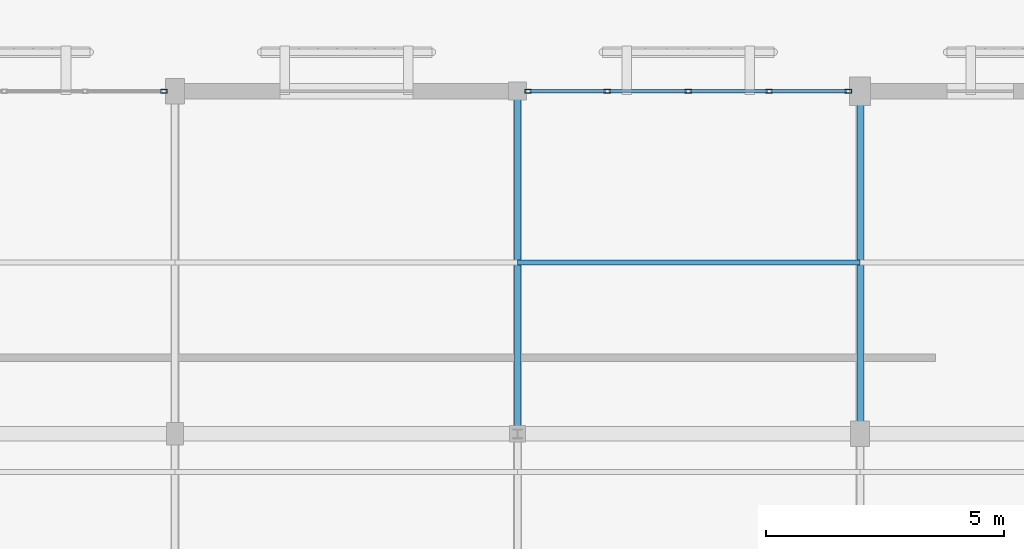
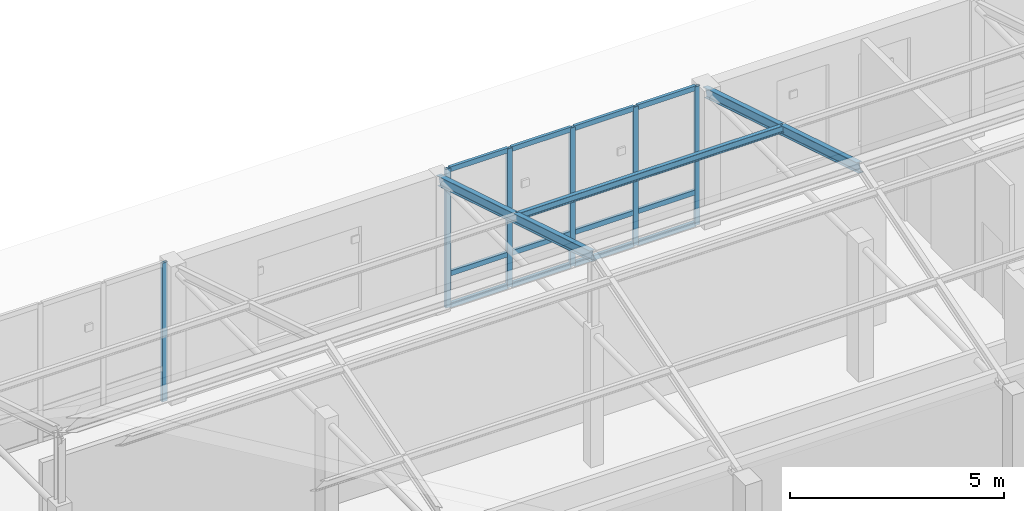
# One storey, part 37 of 61: 21 members, 2 elements without a shape of their own.
"""IFC4 building model written with IfcOpenShell, lengths in metres."""

import ifcopenshell
import ifcopenshell.guid

model = None  # the IFC model being written
_history = None  # IfcOwnerHistory: only IFC2X3 demands one
_inside = {}  # id of a spatial element -> (the spatial element, [elements in it])
_under = {}  # id of a project, library or spatial element -> (it, [spatial elements below it])
_declared = {}  # id of a project -> (the project, [libraries it declares])
_typed = {}  # id of a type object -> (the type object, [elements of that type])
_made_of = {}  # id of a material, layer set ... -> (it, [elements and type objects made of it])


def new_model(schema):
    """Start an empty IFC model of exactly this schema.

    Asked for "IFC4X3", IfcOpenShell would pick the latest addendum, in which some entities
    have other attributes; the version numbers below select the first issue.
    IFC2X3 requires an IfcOwnerHistory on every rooted entity: one is made here for all.
    """
    global model, _history
    if schema == "IFC4X3":
        model = ifcopenshell.file(schema_version=(4, 3, 0, 0))
    else:
        model = ifcopenshell.file(schema=schema)
    _inside.clear()
    _under.clear()
    _declared.clear()
    _typed.clear()
    _made_of.clear()
    _history = None
    if model.schema == "IFC2X3":
        org = make("IfcOrganization", Name="unknown")
        user = make(
            "IfcPersonAndOrganization",
            ThePerson=make("IfcPerson", FamilyName="unknown"),
            TheOrganization=org,
        )
        app = make(
            "IfcApplication",
            ApplicationDeveloper=org,
            Version="unknown",
            ApplicationFullName="unknown",
            ApplicationIdentifier="unknown",
        )
        _history = make(
            "IfcOwnerHistory",
            OwningUser=user,
            OwningApplication=app,
            ChangeAction="ADDED",
            CreationDate=0,
        )
    return model


def make(cls, **values):
    """One entity of the class cls with the attributes given. An attribute that is None is left unset."""
    return model.create_entity(
        cls, **{name: value for name, value in values.items() if value is not None}
    )


def rooted(cls, **values):
    """An entity with a GlobalId (a new one), such as an element, a storey or a relation."""
    return make(cls, GlobalId=ifcopenshell.guid.new(), OwnerHistory=_history, **values)


def si_unit(unit_type, name, prefix=None):
    """IfcSIUnit, for example si_unit("LENGTHUNIT", "METRE", prefix="MILLI")."""
    return make("IfcSIUnit", UnitType=unit_type, Prefix=prefix, Name=name)


def assignment(units):
    """IfcUnitAssignment: the units of a project."""
    return None if units is None else make("IfcUnitAssignment", Units=units)


def point(xyz):
    """IfcCartesianPoint."""
    return None if xyz is None else make("IfcCartesianPoint", Coordinates=xyz)


def direction(xyz):
    """IfcDirection."""
    return None if xyz is None else make("IfcDirection", DirectionRatios=xyz)


def frame(location, z_axis=None, x_axis=None):
    """IfcAxis2Placement3D, a coordinate frame: its origin and axes. An axis left out is left unset."""
    return make(
        "IfcAxis2Placement3D",
        Location=point(location),
        Axis=direction(z_axis),
        RefDirection=direction(x_axis),
    )


def frame_2d(location, x_axis=None):
    """IfcAxis2Placement2D, a coordinate frame in the plane: its origin and x axis."""
    return make(
        "IfcAxis2Placement2D", Location=point(location), RefDirection=direction(x_axis)
    )


def origin():
    """The frame at (0, 0, 0) with its axes left unset."""
    return frame((0.0, 0.0, 0.0))


def origin_2d():
    """The frame at (0, 0) in the plane with its x axis left unset."""
    return frame_2d((0.0, 0.0))


def place(relative_to, where):
    """IfcLocalPlacement: puts the frame where relative to a parent placement (None: the world)."""
    return make(
        "IfcLocalPlacement", PlacementRelTo=relative_to, RelativePlacement=where
    )


def context(
    kind, dimensions, precision=None, world=None, true_north=None, identifier=None
):
    """IfcGeometricRepresentationContext, for example the 3D "Model" context."""
    return make(
        "IfcGeometricRepresentationContext",
        ContextIdentifier=identifier,
        ContextType=kind,
        CoordinateSpaceDimension=dimensions,
        Precision=precision,
        WorldCoordinateSystem=world,
        TrueNorth=true_north,
    )


def subcontext(parent, identifier, kind, view, scale=None):
    """IfcGeometricRepresentationSubContext, for example "Body" below "Model"."""
    return make(
        "IfcGeometricRepresentationSubContext",
        ContextIdentifier=identifier,
        ContextType=kind,
        ParentContext=parent,
        TargetScale=scale,
        TargetView=view,
    )


def project(units=None, contexts=None):
    """IfcProject with its units and contexts."""
    return rooted(
        "IfcProject",
        Name="project",
        RepresentationContexts=contexts,
        UnitsInContext=assignment(units),
    )


def spatial(cls, under=None, at=None, **own):
    """A site, building, storey or space (cls), placed at a placement, below another one or the project."""
    s = rooted(cls, ObjectPlacement=at, **own)
    if under is not None:
        _under.setdefault(under.id(), (under, []))[1].append(s)
    return s


def profile(cls, at=None, kind="AREA", **sizes):
    """A parametric profile (cls). Its sizes go by their IFC names, for example OverallWidth=200.0."""
    return make(cls, ProfileType=kind, Position=at, **sizes)


def hollow_rectangle(**sizes):
    """IfcRectangleHollowProfileDef."""
    return profile("IfcRectangleHollowProfileDef", **sizes)


def i_section(**sizes):
    """IfcIShapeProfileDef."""
    return profile("IfcIShapeProfileDef", **sizes)


def extrude(swept, where, along, depth):
    """IfcExtrudedAreaSolid: the profile swept, set in the frame where, extruded along a direction by depth."""
    return make(
        "IfcExtrudedAreaSolid",
        SweptArea=swept,
        Position=where,
        ExtrudedDirection=direction(along),
        Depth=depth,
    )


def shape(context_of_items, identifier, shape_type, items):
    """IfcShapeRepresentation: the items that make up one representation, for example the "Body"."""
    return make(
        "IfcShapeRepresentation",
        ContextOfItems=context_of_items,
        RepresentationIdentifier=identifier,
        RepresentationType=shape_type,
        Items=items,
    )


def material(Name=None, Category=None):
    """IfcMaterial."""
    return make("IfcMaterial", Name=Name, Category=Category)


def layer(
    of_material, thickness, ventilated=None, Name=None, Category=None, Priority=None
):
    """IfcMaterialLayer: one layer of a wall or slab, of a material (None: an air gap)."""
    return make(
        "IfcMaterialLayer",
        Material=of_material,
        LayerThickness=thickness,
        IsVentilated=ventilated,
        Name=Name,
        Category=Category,
        Priority=Priority,
    )


def layer_set(layers, Name=None):
    """IfcMaterialLayerSet."""
    return make("IfcMaterialLayerSet", MaterialLayers=layers, LayerSetName=Name)


def material_profile(
    of_material, cross_section, Name=None, Category=None, Priority=None
):
    """IfcMaterialProfile: a cross section and its material."""
    return make(
        "IfcMaterialProfile",
        Name=Name,
        Material=of_material,
        Profile=cross_section,
        Priority=Priority,
        Category=Category,
    )


def profile_set(profiles, Name=None, composite=None):
    """IfcMaterialProfileSet."""
    return make(
        "IfcMaterialProfileSet",
        Name=Name,
        MaterialProfiles=profiles,
        CompositeProfile=composite,
    )


def made_of(thing, what):
    """Note that an element or type object is made of a material, layer set ...; save() writes the relation."""
    if what is not None:
        _made_of.setdefault(what.id(), (what, []))[1].append(thing)
    return thing


def type_object(cls, material=None, **own):
    """A type object (cls), such as IfcWallType, which elements share."""
    return made_of(rooted(cls, **own), material)


def element(
    cls,
    number,
    at=None,
    inside=None,
    cuts=None,
    type_object=None,
    material=None,
    context=None,
    identifier="Body",
    shape_type=None,
    held_by="IfcProductDefinitionShape",
    body=None,
    shapes=None,
    **own,
):
    """One element of the class cls, such as IfcWall. Its Tag is "e" and its number.

    at: its placement. inside: the storey or other place that contains it. cuts: it is an
    opening in that element (IfcRelVoidsElement). A single representation is given by context,
    identifier, shape_type and body (its items); several are given by shapes. held_by: the class
    of the entity that holds the representations. save() writes the other relations.
    """
    e = rooted(cls, Tag="e%d" % number, ObjectPlacement=at, **own)
    if body is not None:
        shapes = [shape(context, identifier, shape_type, body)]
    if shapes is not None:
        e.Representation = make(held_by, Representations=shapes)
    if inside is not None:
        _inside.setdefault(inside.id(), (inside, []))[1].append(e)
    if cuts is not None:
        rooted(
            "IfcRelVoidsElement", RelatingBuildingElement=cuts, RelatedOpeningElement=e
        )
    if type_object is not None:
        _typed.setdefault(type_object.id(), (type_object, []))[1].append(e)
    return made_of(e, material)


def aggregate(whole, parts):
    """IfcRelAggregates: a whole, such as a stair, and the parts it consists of."""
    return rooted("IfcRelAggregates", RelatingObject=whole, RelatedObjects=parts)


def save(model, path):
    """Write the relations noted so far, then the file.

    IfcRelAggregates (storeys below a building ...), IfcRelContainedInSpatialStructure (elements
    in a storey), IfcRelDefinesByType, IfcRelAssociatesMaterial and IfcRelDeclares: one each for
    every whole, place, type object, material and project.
    """
    for whole, parts in _under.values():
        aggregate(whole, parts)
    for where, things in _inside.values():
        rooted(
            "IfcRelContainedInSpatialStructure",
            RelatedElements=things,
            RelatingStructure=where,
        )
    for kind, things in _typed.values():
        rooted("IfcRelDefinesByType", RelatedObjects=things, RelatingType=kind)
    for what, things in _made_of.values():
        rooted("IfcRelAssociatesMaterial", RelatedObjects=things, RelatingMaterial=what)
    for by, libraries in _declared.values():
        rooted("IfcRelDeclares", RelatingContext=by, RelatedDefinitions=libraries)
    model.write(path)


model = new_model("IFC4")

# Units and contexts
model_context = context("Model", 3, precision=1e-05, world=origin(), true_north=direction((0.0, 1.0)))
body_context = subcontext(model_context, "Body", "Model", "MODEL_VIEW")
ifc_project = project(units=[si_unit("LENGTHUNIT", "METRE"), si_unit("AREAUNIT", "SQUARE_METRE"), si_unit("VOLUMEUNIT", "CUBIC_METRE"), si_unit("PLANEANGLEUNIT", "RADIAN"), si_unit("MASSUNIT", "GRAM", prefix="KILO")], contexts=[model_context])

# Site, building, storey
site_placement = place(None, origin())
site = spatial("IfcSite", under=ifc_project, at=site_placement, CompositionType="ELEMENT")
building_placement = place(site_placement, origin())
building = spatial("IfcBuilding", under=site, at=building_placement, Name="Mazaris Harbour Polytechnic", CompositionType="ELEMENT")
storey_placement = place(building_placement, frame((0.0, 0.0, 18.0)))
storey = spatial("IfcBuildingStorey", under=building, at=storey_placement, Name="L04", CompositionType="ELEMENT", Elevation=18.0)

# Curtain wall, member
ifc_material_1 = material(Name="Anodised Bronze Aluminium and Low-E Glass", Category="aluminium")
ifc_layer = layer(ifc_material_1, 0.169921875, Name="Anodised Bronze Aluminium and Low-E Glass")
ifc_layer_set = layer_set([ifc_layer], Name="Anodised Bronze Aluminium and Low-E Glass")
curtain_wall_type = type_object("IfcCurtainWallType", Name="Studio North-Light Curtain Wall", PredefinedType="NOTDEFINED", material=ifc_layer_set)
curtain_wall_1_placement = place(storey_placement, origin())
curtain_wall_1 = element("IfcCurtainWall", 1, at=curtain_wall_1_placement, inside=storey, type_object=curtain_wall_type, Name="V5 L04 Curtain Wall 272", PredefinedType="NOTDEFINED")
ifc_material_2 = material(Name="Anodised Bronze Steel S355", Category="steel")
ifc_material_profile_1 = material_profile(ifc_material_2, hollow_rectangle(XDim=0.080078125, YDim=0.139892578125, WallThickness=0.00634765625, at=origin_2d()), Name="RHS 80x140x6.3")
ifc_profile_set_1 = profile_set([ifc_material_profile_1], Name="Anodised Bronze Steel S355")
member_type_1 = type_object("IfcMemberType", Name="Curtain Mullion RHS80x140", PredefinedType="MULLION", material=ifc_profile_set_1)
member_1_placement = place(storey_placement, frame((143.76806640625, 100.800048828125, 0.0), z_axis=(0.0, 0.0, 1.0), x_axis=(0.0, 1.0, 0.0)))
member_1 = element("IfcMember", 2, at=member_1_placement, type_object=member_type_1, Name="CW-03 mullion 5", PredefinedType="MULLION", context=body_context, shape_type="SweptSolid", body=[
    extrude(hollow_rectangle(XDim=0.080078125, YDim=0.139892578125, WallThickness=0.00634765625, at=origin_2d()), origin(), (0.0, 0.0, 1.0), 3.9599609375),
])
aggregate(curtain_wall_1, [member_1])

# Curtain wall, members
curtain_wall_2_placement = place(storey_placement, origin())
curtain_wall_2 = element("IfcCurtainWall", 3, at=curtain_wall_2_placement, inside=storey, type_object=curtain_wall_type, Name="V5 L04 Curtain Wall 273", PredefinedType="NOTDEFINED")
member_2_placement = place(storey_placement, frame((151.422119140625, 100.800048828125, 0.0), z_axis=(0.0, 0.0, 1.0), x_axis=(0.0, 1.0, 0.0)))
member_2 = element("IfcMember", 4, at=member_2_placement, type_object=member_type_1, Name="CW-03 mullion 1", PredefinedType="MULLION", context=body_context, shape_type="SweptSolid", body=[
    extrude(hollow_rectangle(XDim=0.080078125, YDim=0.139892578125, WallThickness=0.00634765625, at=origin_2d()), origin(), (0.0, 0.0, 1.0), 3.9599609375),
])
member_3_placement = place(storey_placement, frame((153.08349609375, 100.800048828125, 0.0), z_axis=(0.0, 0.0, 1.0), x_axis=(0.0, 1.0, 0.0)))
member_3 = element("IfcMember", 5, at=member_3_placement, type_object=member_type_1, Name="CW-03 mullion 2", PredefinedType="MULLION", context=body_context, shape_type="SweptSolid", body=[
    extrude(hollow_rectangle(XDim=0.080078125, YDim=0.139892578125, WallThickness=0.00634765625, at=origin_2d()), origin(), (0.0, 0.0, 1.0), 3.9599609375),
])
member_4_placement = place(storey_placement, frame((154.784912109375, 100.800048828125, 0.0), z_axis=(0.0, 0.0, 1.0), x_axis=(0.0, 1.0, 0.0)))
member_4 = element("IfcMember", 6, at=member_4_placement, type_object=member_type_1, Name="CW-03 mullion 3", PredefinedType="MULLION", context=body_context, shape_type="SweptSolid", body=[
    extrude(hollow_rectangle(XDim=0.080078125, YDim=0.139892578125, WallThickness=0.00634765625, at=origin_2d()), origin(), (0.0, 0.0, 1.0), 3.9599609375),
])
member_5_placement = place(storey_placement, frame((156.486572265625, 100.800048828125, 0.0), z_axis=(0.0, 0.0, 1.0), x_axis=(0.0, 1.0, 0.0)))
member_5 = element("IfcMember", 7, at=member_5_placement, type_object=member_type_1, Name="CW-03 mullion 4", PredefinedType="MULLION", context=body_context, shape_type="SweptSolid", body=[
    extrude(hollow_rectangle(XDim=0.080078125, YDim=0.139892578125, WallThickness=0.00634765625, at=origin_2d()), origin(), (0.0, 0.0, 1.0), 3.9599609375),
])
member_6_placement = place(storey_placement, frame((158.14794921875, 100.800048828125, 0.0), z_axis=(0.0, 0.0, 1.0), x_axis=(0.0, 1.0, 0.0)))
member_6 = element("IfcMember", 8, at=member_6_placement, type_object=member_type_1, Name="CW-03 mullion 5", PredefinedType="MULLION", context=body_context, shape_type="SweptSolid", body=[
    extrude(hollow_rectangle(XDim=0.080078125, YDim=0.139892578125, WallThickness=0.00634765625, at=origin_2d()), origin(), (0.0, 0.0, 1.0), 3.9599609375),
])
ifc_material_3 = material(Name="Anodised Bronze Steel S355", Category="steel")
ifc_material_profile_2 = material_profile(ifc_material_3, hollow_rectangle(XDim=0.080078125, YDim=0.139892578125, WallThickness=0.00634765625, at=origin_2d()), Name="RHS 80x140x6.3")
ifc_profile_set_2 = profile_set([ifc_material_profile_2], Name="Anodised Bronze Steel S355")
member_type_2 = type_object("IfcMemberType", Name="Curtain Transom RHS80x140", PredefinedType="USERDEFINED", material=ifc_profile_set_2)
member_7_placement = place(storey_placement, frame((151.4619140625, 100.800048828125, 0.0400390625), z_axis=(1.0, 0.0, 0.0), x_axis=(0.0, 1.0, 0.0)))
member_7 = element("IfcMember", 9, at=member_7_placement, type_object=member_type_2, Name="CW-03 transom 1.1", ObjectType="TRANSOM", PredefinedType="USERDEFINED", context=body_context, shape_type="SweptSolid", body=[
    extrude(hollow_rectangle(XDim=0.080078125, YDim=0.139892578125, WallThickness=0.00634765625, at=origin_2d()), origin(), (0.0, 0.0, 1.0), 1.58154296875),
])
member_8_placement = place(storey_placement, frame((151.4619140625, 100.800048828125, 0.949951171875), z_axis=(1.0, 0.0, 0.0), x_axis=(0.0, 1.0, 0.0)))
member_8 = element("IfcMember", 10, at=member_8_placement, type_object=member_type_2, Name="CW-03 transom 1.2", ObjectType="TRANSOM", PredefinedType="USERDEFINED", context=body_context, shape_type="SweptSolid", body=[
    extrude(hollow_rectangle(XDim=0.080078125, YDim=0.139892578125, WallThickness=0.00634765625, at=origin_2d()), origin(), (0.0, 0.0, 1.0), 1.58154296875),
])
member_9_placement = place(storey_placement, frame((151.4619140625, 100.800048828125, 3.919921875), z_axis=(1.0, 0.0, 0.0), x_axis=(0.0, 1.0, 0.0)))
member_9 = element("IfcMember", 11, at=member_9_placement, type_object=member_type_2, Name="CW-03 transom 1.3", ObjectType="TRANSOM", PredefinedType="USERDEFINED", context=body_context, shape_type="SweptSolid", body=[
    extrude(hollow_rectangle(XDim=0.080078125, YDim=0.139892578125, WallThickness=0.00634765625, at=origin_2d()), origin(), (0.0, 0.0, 1.0), 1.58154296875),
])
member_10_placement = place(storey_placement, frame((153.12353515625, 100.800048828125, 0.0400390625), z_axis=(1.0, 0.0, 0.0), x_axis=(0.0, 1.0, 0.0)))
member_10 = element("IfcMember", 12, at=member_10_placement, type_object=member_type_2, Name="CW-03 transom 2.1", ObjectType="TRANSOM", PredefinedType="USERDEFINED", context=body_context, shape_type="SweptSolid", body=[
    extrude(hollow_rectangle(XDim=0.080078125, YDim=0.139892578125, WallThickness=0.00634765625, at=origin_2d()), origin(), (0.0, 0.0, 1.0), 1.62158203125),
])
member_11_placement = place(storey_placement, frame((153.12353515625, 100.800048828125, 0.949951171875), z_axis=(1.0, 0.0, 0.0), x_axis=(0.0, 1.0, 0.0)))
member_11 = element("IfcMember", 13, at=member_11_placement, type_object=member_type_2, Name="CW-03 transom 2.2", ObjectType="TRANSOM", PredefinedType="USERDEFINED", context=body_context, shape_type="SweptSolid", body=[
    extrude(hollow_rectangle(XDim=0.080078125, YDim=0.139892578125, WallThickness=0.00634765625, at=origin_2d()), origin(), (0.0, 0.0, 1.0), 1.62158203125),
])
member_12_placement = place(storey_placement, frame((153.12353515625, 100.800048828125, 3.919921875), z_axis=(1.0, 0.0, 0.0), x_axis=(0.0, 1.0, 0.0)))
member_12 = element("IfcMember", 14, at=member_12_placement, type_object=member_type_2, Name="CW-03 transom 2.3", ObjectType="TRANSOM", PredefinedType="USERDEFINED", context=body_context, shape_type="SweptSolid", body=[
    extrude(hollow_rectangle(XDim=0.080078125, YDim=0.139892578125, WallThickness=0.00634765625, at=origin_2d()), origin(), (0.0, 0.0, 1.0), 1.62158203125),
])
member_13_placement = place(storey_placement, frame((154.824951171875, 100.800048828125, 0.0400390625), z_axis=(1.0, 0.0, 0.0), x_axis=(0.0, 1.0, 0.0)))
member_13 = element("IfcMember", 15, at=member_13_placement, type_object=member_type_2, Name="CW-03 transom 3.1", ObjectType="TRANSOM", PredefinedType="USERDEFINED", context=body_context, shape_type="SweptSolid", body=[
    extrude(hollow_rectangle(XDim=0.080078125, YDim=0.139892578125, WallThickness=0.00634765625, at=origin_2d()), origin(), (0.0, 0.0, 1.0), 1.62158203125),
])
member_14_placement = place(storey_placement, frame((154.824951171875, 100.800048828125, 0.949951171875), z_axis=(1.0, 0.0, 0.0), x_axis=(0.0, 1.0, 0.0)))
member_14 = element("IfcMember", 16, at=member_14_placement, type_object=member_type_2, Name="CW-03 transom 3.2", ObjectType="TRANSOM", PredefinedType="USERDEFINED", context=body_context, shape_type="SweptSolid", body=[
    extrude(hollow_rectangle(XDim=0.080078125, YDim=0.139892578125, WallThickness=0.00634765625, at=origin_2d()), origin(), (0.0, 0.0, 1.0), 1.62158203125),
])
member_15_placement = place(storey_placement, frame((154.824951171875, 100.800048828125, 3.919921875), z_axis=(1.0, 0.0, 0.0), x_axis=(0.0, 1.0, 0.0)))
member_15 = element("IfcMember", 17, at=member_15_placement, type_object=member_type_2, Name="CW-03 transom 3.3", ObjectType="TRANSOM", PredefinedType="USERDEFINED", context=body_context, shape_type="SweptSolid", body=[
    extrude(hollow_rectangle(XDim=0.080078125, YDim=0.139892578125, WallThickness=0.00634765625, at=origin_2d()), origin(), (0.0, 0.0, 1.0), 1.62158203125),
])
member_16_placement = place(storey_placement, frame((156.526611328125, 100.800048828125, 0.0400390625), z_axis=(1.0, 0.0, 0.0), x_axis=(0.0, 1.0, 0.0)))
member_16 = element("IfcMember", 18, at=member_16_placement, type_object=member_type_2, Name="CW-03 transom 4.1", ObjectType="TRANSOM", PredefinedType="USERDEFINED", context=body_context, shape_type="SweptSolid", body=[
    extrude(hollow_rectangle(XDim=0.080078125, YDim=0.139892578125, WallThickness=0.00634765625, at=origin_2d()), origin(), (0.0, 0.0, 1.0), 1.581298828125),
])
member_17_placement = place(storey_placement, frame((156.526611328125, 100.800048828125, 0.949951171875), z_axis=(1.0, 0.0, 0.0), x_axis=(0.0, 1.0, 0.0)))
member_17 = element("IfcMember", 19, at=member_17_placement, type_object=member_type_2, Name="CW-03 transom 4.2", ObjectType="TRANSOM", PredefinedType="USERDEFINED", context=body_context, shape_type="SweptSolid", body=[
    extrude(hollow_rectangle(XDim=0.080078125, YDim=0.139892578125, WallThickness=0.00634765625, at=origin_2d()), origin(), (0.0, 0.0, 1.0), 1.581298828125),
])
member_18_placement = place(storey_placement, frame((156.526611328125, 100.800048828125, 3.919921875), z_axis=(1.0, 0.0, 0.0), x_axis=(0.0, 1.0, 0.0)))
member_18 = element("IfcMember", 20, at=member_18_placement, type_object=member_type_2, Name="CW-03 transom 4.3", ObjectType="TRANSOM", PredefinedType="USERDEFINED", context=body_context, shape_type="SweptSolid", body=[
    extrude(hollow_rectangle(XDim=0.080078125, YDim=0.139892578125, WallThickness=0.00634765625, at=origin_2d()), origin(), (0.0, 0.0, 1.0), 1.581298828125),
])
aggregate(curtain_wall_2, [member_2, member_3, member_4, member_5, member_6, member_7, member_8, member_9, member_10, member_11, member_12, member_13, member_14, member_15, member_16, member_17, member_18])

# Members
ifc_material_4 = material(Name="Steel S355", Category="steel")
ifc_material_profile_3 = material_profile(ifc_material_4, i_section(OverallWidth=0.10009765625, OverallDepth=0.199951171875, WebThickness=0.005615234375, FlangeThickness=0.008544921875, FilletRadius=0.011962890625, at=origin_2d()), Name="IPE 200")
ifc_profile_set_3 = profile_set([ifc_material_profile_3], Name="Steel S355")
member_type_3 = type_object("IfcMemberType", Name="Steel Purlin IPE200", PredefinedType="PURLIN", material=ifc_profile_set_3)
member_19_placement = place(storey_placement, frame((151.199951171875, 97.199951171875, 4.840087890625), z_axis=(1.0, 0.0, 0.0), x_axis=(0.0, 1.0, 0.0)))
element("IfcMember", 21, at=member_19_placement, inside=storey, type_object=member_type_3, Name="V5 Studio Roof Purlin 201", PredefinedType="PURLIN", context=body_context, shape_type="SweptSolid", body=[
    extrude(i_section(OverallWidth=0.10009765625, OverallDepth=0.199951171875, WebThickness=0.005615234375, FlangeThickness=0.008544921875, FilletRadius=0.011962890625, at=origin_2d()), origin(), (0.0, 0.0, 1.0), 7.199951171875),
])
ifc_material_5 = material(Name="Steel S355", Category="steel")
ifc_material_profile_4 = material_profile(ifc_material_5, i_section(OverallWidth=0.135009765625, OverallDepth=0.27001953125, WebThickness=0.006591796875, FlangeThickness=0.01025390625, FilletRadius=0.014892578125, at=origin_2d()), Name="IPE 270")
ifc_profile_set_4 = profile_set([ifc_material_profile_4], Name="Steel S355")
member_type_4 = type_object("IfcMemberType", Name="Steel Rafter IPE270", PredefinedType="RAFTER", material=ifc_profile_set_4)
for number, where, z_axis, x_axis, name in (
    (22, (151.199951171875, 93.60009765625, 5.89990234375), (0.0, 0.95635282974, -0.292214416222), (-1.0, 0.0, 0.0), "V5 Studio North Rafter 16"),
    (23, (158.39990234375, 93.60009765625, 5.89990234375), (0.0, 0.95635282974, -0.292214416222), (-1.0, 0.0, 0.0), "V5 Studio North Rafter 17"),
):
    element("IfcMember", number, at=place(storey_placement, frame(where, z_axis=z_axis, x_axis=x_axis)), inside=storey, type_object=member_type_4, Name=name, PredefinedType="RAFTER", context=body_context, shape_type="SweptSolid", body=[
        extrude(i_section(OverallWidth=0.135009765625, OverallDepth=0.27001953125, WebThickness=0.006591796875, FlangeThickness=0.01025390625, FilletRadius=0.014892578125, at=origin_2d()), origin(), (0.0, 0.0, 1.0), 7.528564453125),
    ])

save(model, "model.ifc")
